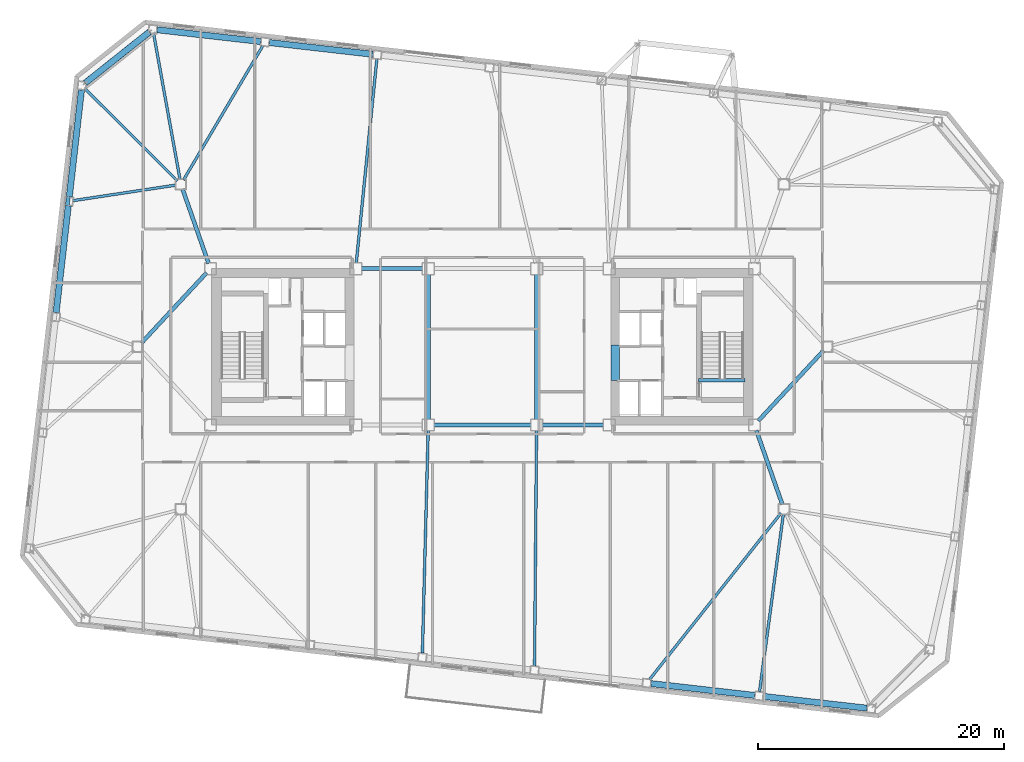
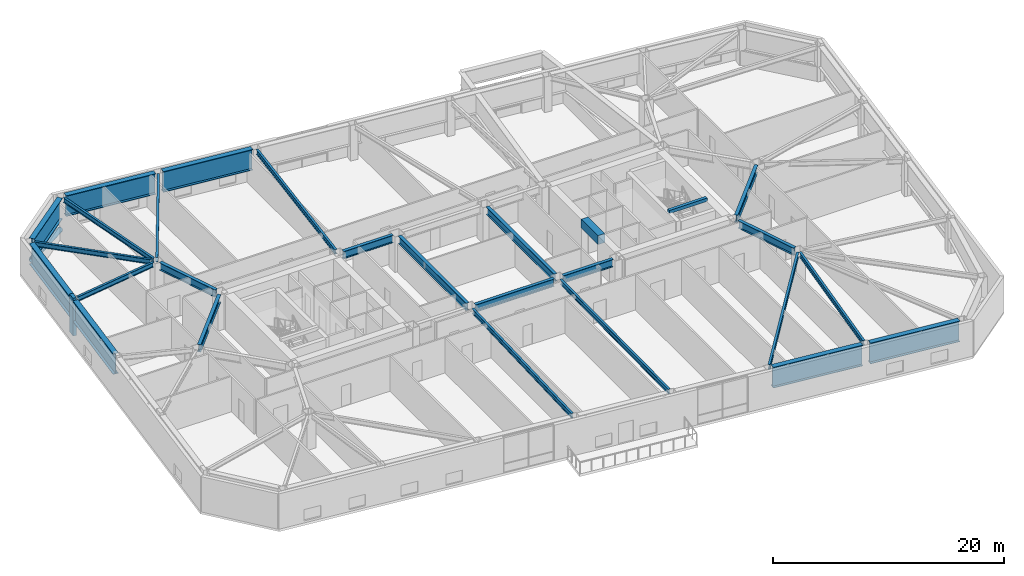
# One storey, part 5 of 21: 27 beams, 2 members.
"""IFC4 building model written with IfcOpenShell, lengths in metres."""

from ifc_helpers import new_model, si_unit, direction, frame, origin, origin_2d, place, context, subcontext, project, spatial, rectangle, hollow_circle, i_section, extrude, material, material_profile, profile_set, type_object, element, save


model = new_model("IFC4")

# Units and contexts
model_context = context("Model", 3, precision=1e-05, world=origin(), true_north=direction((0.0, 1.0)))
body_context = subcontext(model_context, "Body", "Model", "MODEL_VIEW")
ifc_project = project(units=[si_unit("LENGTHUNIT", "METRE"), si_unit("AREAUNIT", "SQUARE_METRE"), si_unit("VOLUMEUNIT", "CUBIC_METRE"), si_unit("PLANEANGLEUNIT", "RADIAN"), si_unit("MASSUNIT", "GRAM", prefix="KILO")], contexts=[model_context])

# Site, building, storey
site_placement = place(None, origin())
site = spatial("IfcSite", under=ifc_project, at=site_placement, CompositionType="ELEMENT")
building_placement = place(site_placement, origin())
building = spatial("IfcBuilding", under=site, at=building_placement, Name="Tavrogorsk Clinical Tower", CompositionType="ELEMENT")
storey_placement = place(building_placement, frame((0.0, 0.0, 109.39990234375)))
storey = spatial("IfcBuildingStorey", under=building, at=storey_placement, Name="L24", CompositionType="ELEMENT", Elevation=109.39990234375)

# Beam
ifc_material_1 = material(Name="Concrete B80", Category="concrete")
ifc_material_profile_1 = material_profile(ifc_material_1, rectangle(XDim=0.699951171875, YDim=0.949951171875, at=origin_2d()), Name="RC-CB-700x950")
ifc_profile_set_1 = profile_set([ifc_material_profile_1], Name="Concrete B80")
beam_type_1 = type_object("IfcBeamType", Name="CouplingBeam_RC700x950", PredefinedType="LINTEL", material=ifc_profile_set_1)
beam_1_placement = place(storey_placement, frame((10.800048828125, -2.75, 3.26513671875), z_axis=(0.0, 1.0, 0.0), x_axis=(-1.0, 0.0, 0.0)))
element("IfcBeam", 1, at=beam_1_placement, inside=storey, type_object=beam_type_1, Name="L24 Core East Coupling Beam", PredefinedType="LINTEL", context=body_context, shape_type="SweptSolid", body=[
    extrude(rectangle(XDim=0.699951171875, YDim=0.949951171875, at=origin_2d()), origin(), (0.0, 0.0, 1.0), 2.89990234375),
])

# Member
ifc_material_2 = material(Name="Structural steel S440", Category="steel")
ifc_material_profile_2 = material_profile(ifc_material_2, hollow_circle(Radius=0.25390625, WallThickness=0.02001953125, at=origin_2d()), Name="CHS-508x20")
ifc_profile_set_2 = profile_set([ifc_material_profile_2], Name="Structural steel S440")
member_type_1 = type_object("IfcMemberType", Name="ExoBrace_CHS508", PredefinedType="BRACE", material=ifc_profile_set_2)
member_1_placement = place(storey_placement, frame((-27.0595703125, 25.5810546875, 0.357177734375), z_axis=(-0.772560445092, -0.614516941236, 0.15974757467), x_axis=(0.622511295801, -0.782610814262, 0.0)))
element("IfcMember", 2, at=member_1_placement, inside=storey, type_object=member_type_1, Name="L24 Corner Exoskeleton Brace N8-W1", PredefinedType="BRACE", context=body_context, shape_type="SweptSolid", body=[
    extrude(hollow_circle(Radius=0.25390625, WallThickness=0.02001953125, at=origin_2d()), origin(), (0.0, 0.0, 1.0), 6.733642578125),
])

# Beams
ifc_material_3 = material(Name="Structural steel S355", Category="steel")
ifc_material_profile_3 = material_profile(ifc_material_3, i_section(OverallWidth=0.219970703125, OverallDepth=0.5, WebThickness=0.012939453125, FlangeThickness=0.02001953125, at=origin_2d()), Name="B-500x220x13x20")
ifc_profile_set_3 = profile_set([ifc_material_profile_3], Name="Structural steel S355")
beam_type_2 = type_object("IfcBeamType", Name="FloorBeam_B500", PredefinedType="BEAM", material=ifc_profile_set_3)
beam_2_placement = place(storey_placement, frame((-4.411865234375, -6.809814453125, 3.489990234375), z_axis=(-0.025907273598, -0.999664350257, 0.0), x_axis=(0.999664350257, -0.025907273598, 0.0)))
element("IfcBeam", 3, at=beam_2_placement, inside=storey, type_object=beam_type_2, Name="L24 Radial Floor Beam S4", PredefinedType="BEAM", context=body_context, shape_type="SweptSolid", body=[
    extrude(i_section(OverallWidth=0.219970703125, OverallDepth=0.5, WebThickness=0.012939453125, FlangeThickness=0.02001953125, at=origin_2d()), origin(), (0.0, 0.0, 1.0), 18.083984375),
])
beam_3_placement = place(storey_placement, frame((4.39599609375, -6.81005859375, 3.489990234375), z_axis=(-0.00859471964, -0.999963064715, 0.0), x_axis=(0.999963064715, -0.00859471964, 0.0)))
element("IfcBeam", 4, at=beam_3_placement, inside=storey, type_object=beam_type_2, Name="L24 Radial Floor Beam S5", PredefinedType="BEAM", context=body_context, shape_type="SweptSolid", body=[
    extrude(i_section(OverallWidth=0.219970703125, OverallDepth=0.5, WebThickness=0.012939453125, FlangeThickness=0.02001953125, at=origin_2d()), origin(), (0.0, 0.0, 1.0), 19.1171875),
])
beam_4_placement = place(storey_placement, frame((24.245849609375, -13.521728515625, 3.489990234375), z_axis=(-0.619757312108, -0.784793523221, 0.0), x_axis=(0.784793523221, -0.619757312108, 0.0)))
element("IfcBeam", 5, at=beam_4_placement, inside=storey, type_object=beam_type_2, Name="L24 Radial Floor Beam S6", PredefinedType="BEAM", context=body_context, shape_type="SweptSolid", body=[
    extrude(i_section(OverallWidth=0.219970703125, OverallDepth=0.5, WebThickness=0.012939453125, FlangeThickness=0.02001953125, at=origin_2d()), origin(), (0.0, 0.0, 1.0), 17.22802734375),
])
beam_5_placement = place(storey_placement, frame((24.445556640625, -13.6064453125, 3.489990234375), z_axis=(-0.133025440596, -0.991112623345, 0.0), x_axis=(0.991112623345, -0.133025440596, 0.0)))
element("IfcBeam", 6, at=beam_5_placement, inside=storey, type_object=beam_type_2, Name="L24 Radial Floor Beam S7", PredefinedType="BEAM", context=body_context, shape_type="SweptSolid", body=[
    extrude(i_section(OverallWidth=0.219970703125, OverallDepth=0.5, WebThickness=0.012939453125, FlangeThickness=0.02001953125, at=origin_2d()), origin(), (0.0, 0.0, 1.0), 14.530029296875),
])
beam_6_placement = place(storey_placement, frame((-10.25390625, 6.8076171875, 3.489990234375), z_axis=(0.100407035617, 0.994946444387, 0.0), x_axis=(-0.994946444387, 0.100407035617, 0.0)))
element("IfcBeam", 7, at=beam_6_placement, inside=storey, type_object=beam_type_2, Name="L24 Radial Floor Beam N6", PredefinedType="BEAM", context=body_context, shape_type="SweptSolid", body=[
    extrude(i_section(OverallWidth=0.219970703125, OverallDepth=0.5, WebThickness=0.012939453125, FlangeThickness=0.02001953125, at=origin_2d()), origin(), (0.0, 0.0, 1.0), 16.643798828125),
])
beam_7_placement = place(storey_placement, frame((-24.291259765625, 13.552978515625, 3.489990234375), z_axis=(0.508876748392, 0.86083938975, 0.0), x_axis=(-0.86083938975, 0.508876748392, 0.0)))
element("IfcBeam", 8, at=beam_7_placement, inside=storey, type_object=beam_type_2, Name="L24 Radial Floor Beam N7", PredefinedType="BEAM", context=body_context, shape_type="SweptSolid", body=[
    extrude(i_section(OverallWidth=0.219970703125, OverallDepth=0.5, WebThickness=0.012939453125, FlangeThickness=0.02001953125, at=origin_2d()), origin(), (0.0, 0.0, 1.0), 12.663330078125),
])
beam_8_placement = place(storey_placement, frame((-24.572998046875, 13.603515625, 3.489990234375), z_axis=(-0.178287530482, 0.983978432932, 0.0), x_axis=(-0.983978432932, -0.178287530482, 0.0)))
element("IfcBeam", 9, at=beam_8_placement, inside=storey, type_object=beam_type_2, Name="L24 Radial Floor Beam N8", PredefinedType="BEAM", context=body_context, shape_type="SweptSolid", body=[
    extrude(i_section(OverallWidth=0.219970703125, OverallDepth=0.5, WebThickness=0.012939453125, FlangeThickness=0.02001953125, at=origin_2d()), origin(), (0.0, 0.0, 1.0), 12.0380859375),
])
beam_9_placement = place(storey_placement, frame((-24.790283203125, 13.48974609375, 3.489990234375), z_axis=(-0.707775090959, 0.706437839175, 0.0), x_axis=(-0.706437839175, -0.707775090959, 0.0)))
element("IfcBeam", 10, at=beam_9_placement, inside=storey, type_object=beam_type_2, Name="L24 Radial Floor Beam W1", PredefinedType="BEAM", context=body_context, shape_type="SweptSolid", body=[
    extrude(i_section(OverallWidth=0.219970703125, OverallDepth=0.5, WebThickness=0.012939453125, FlangeThickness=0.02001953125, at=origin_2d()), origin(), (0.0, 0.0, 1.0), 10.589111328125),
])
beam_10_placement = place(storey_placement, frame((-24.905517578125, 13.138671875, 3.489990234375), z_axis=(-0.98878314082, -0.149358295482, 0.0), x_axis=(0.149358295482, -0.98878314082, 0.0)))
element("IfcBeam", 11, at=beam_10_placement, inside=storey, type_object=beam_type_2, Name="L24 Radial Floor Beam W2", PredefinedType="BEAM", context=body_context, shape_type="SweptSolid", body=[
    extrude(i_section(OverallWidth=0.219970703125, OverallDepth=0.5, WebThickness=0.012939453125, FlangeThickness=0.02001953125, at=origin_2d()), origin(), (0.0, 0.0, 1.0), 8.4443359375),
])

# Member
ifc_material_4 = material(Name="Precast concrete B45 with limestone cladding", Category="masonry")
ifc_material_profile_4 = material_profile(ifc_material_4, rectangle(XDim=0.320068359375, YDim=0.719970703125, at=origin_2d()), Name="LIMESTONE-FIN-320x720")
ifc_profile_set_4 = profile_set([ifc_material_profile_4], Name="Precast concrete B45 with limestone cladding")
member_type_2 = type_object("IfcMemberType", Name="LimestonePleatFin_320x720", PredefinedType="USERDEFINED", material=ifc_profile_set_4)
member_2_placement = place(storey_placement, frame((-33.688720703125, 11.8330078125, 0.0), z_axis=(0.0, 0.0, 1.0), x_axis=(0.993571855677, -0.113203213768, 0.0)))
element("IfcMember", 12, at=member_2_placement, inside=storey, type_object=member_type_2, Name="L24 W Pleated Stone Fin 1", ObjectType="FIN", PredefinedType="USERDEFINED", context=body_context, shape_type="SweptSolid", body=[
    extrude(rectangle(XDim=0.320068359375, YDim=0.719970703125, at=origin_2d()), origin(), (0.0, 0.0, 1.0), 4.0),
])

# Beams
ifc_material_5 = material(Name="Structural steel S390", Category="steel")
ifc_material_profile_5 = material_profile(ifc_material_5, i_section(OverallWidth=0.320068359375, OverallDepth=0.800048828125, WebThickness=0.02001953125, FlangeThickness=0.033935546875, at=origin_2d()), Name="B-800x320x20x34")
ifc_profile_set_5 = profile_set([ifc_material_profile_5], Name="Structural steel S390")
beam_type_3 = type_object("IfcBeamType", Name="PrimaryGirder_B800", PredefinedType="USERDEFINED", material=ifc_profile_set_5)
beam_11_placement = place(storey_placement, frame((-9.840087890625, 6.35009765625, 3.340087890625), z_axis=(1.0, 0.0, 0.0), x_axis=(0.0, 1.0, 0.0)))
element("IfcBeam", 13, at=beam_11_placement, inside=storey, type_object=beam_type_3, Name="L24 Primary Spine Girder MG-02", ObjectType="GIRDER", PredefinedType="USERDEFINED", context=body_context, shape_type="SweptSolid", body=[
    extrude(i_section(OverallWidth=0.320068359375, OverallDepth=0.800048828125, WebThickness=0.02001953125, FlangeThickness=0.033935546875, at=origin_2d()), origin(), (0.0, 0.0, 1.0), 4.97998046875),
])
beam_12_placement = place(storey_placement, frame((-3.93994140625, -6.35009765625, 3.340087890625), z_axis=(1.0, 0.0, 0.0), x_axis=(0.0, 1.0, 0.0)))
element("IfcBeam", 14, at=beam_12_placement, inside=storey, type_object=beam_type_3, Name="L24 Primary Spine Girder MG-03", ObjectType="GIRDER", PredefinedType="USERDEFINED", context=body_context, shape_type="SweptSolid", body=[
    extrude(i_section(OverallWidth=0.320068359375, OverallDepth=0.800048828125, WebThickness=0.02001953125, FlangeThickness=0.033935546875, at=origin_2d()), origin(), (0.0, 0.0, 1.0), 7.8798828125),
])
beam_13_placement = place(storey_placement, frame((4.860107421875, -6.35009765625, 3.340087890625), z_axis=(1.0, 0.0, 0.0), x_axis=(0.0, 1.0, 0.0)))
element("IfcBeam", 15, at=beam_13_placement, inside=storey, type_object=beam_type_3, Name="L24 Primary Spine Girder MG-05", ObjectType="GIRDER", PredefinedType="USERDEFINED", context=body_context, shape_type="SweptSolid", body=[
    extrude(i_section(OverallWidth=0.320068359375, OverallDepth=0.800048828125, WebThickness=0.02001953125, FlangeThickness=0.033935546875, at=origin_2d()), origin(), (0.0, 0.0, 1.0), 4.97998046875),
])
for number, where, z_axis, x_axis, name in (
    (16, (-4.39990234375, -5.889892578125, 3.340087890625), (0.0, 1.0, 0.0), (-1.0, 0.0, 0.0), "L24 Primary Spine Girder MG-07"),
    (17, (4.39990234375, -5.889892578125, 3.340087890625), (0.0, 1.0, 0.0), (-1.0, 0.0, 0.0), "L24 Primary Spine Girder MG-08"),
):
    element("IfcBeam", number, at=place(storey_placement, frame(where, z_axis=z_axis, x_axis=x_axis)), inside=storey, type_object=beam_type_3, Name=name, ObjectType="GIRDER", PredefinedType="USERDEFINED", context=body_context, shape_type="SweptSolid", body=[
        extrude(i_section(OverallWidth=0.320068359375, OverallDepth=0.800048828125, WebThickness=0.02001953125, FlangeThickness=0.033935546875, at=origin_2d()), origin(), (0.0, 0.0, 1.0), 11.77978515625),
    ])
for number, where, z_axis, x_axis, name in (
    (18, (24.364501953125, -12.81298828125, 3.340087890625), (-0.330660234815, 0.943749865755, 0.0), (-0.943749865755, -0.330660234815, 0.0), "L24 Spine Link Girder OPG-2"),
    (19, (-24.364501953125, 12.81298828125, 3.340087890625), (0.330660234815, -0.943749865755, 0.0), (0.943749865755, 0.330660234815, 0.0), "L24 Spine Link Girder OPG-3"),
):
    element("IfcBeam", number, at=place(storey_placement, frame(where, z_axis=z_axis, x_axis=x_axis)), inside=storey, type_object=beam_type_3, Name=name, ObjectType="GIRDER", PredefinedType="USERDEFINED", context=body_context, shape_type="SweptSolid", body=[
        extrude(i_section(OverallWidth=0.320068359375, OverallDepth=0.800048828125, WebThickness=0.02001953125, FlangeThickness=0.033935546875, at=origin_2d()), origin(), (0.0, 0.0, 1.0), 6.38818359375),
    ])
for number, where, z_axis, x_axis, name in (
    (20, (-27.720947265625, 0.30029296875, 3.340087890625), (0.680675630035, 0.732584934787, 0.0), (-0.732584934787, 0.680675630035, 0.0), "L24 Spine Link Girder OPG-6"),
    (21, (27.720947265625, -0.30029296875, 3.340087890625), (-0.680675630035, -0.732584934787, 0.0), (0.732584934787, -0.680675630035, 0.0), "L24 Spine Link Girder OPG-7"),
):
    element("IfcBeam", number, at=place(storey_placement, frame(where, z_axis=z_axis, x_axis=x_axis)), inside=storey, type_object=beam_type_3, Name=name, ObjectType="GIRDER", PredefinedType="USERDEFINED", context=body_context, shape_type="SweptSolid", body=[
        extrude(i_section(OverallWidth=0.320068359375, OverallDepth=0.800048828125, WebThickness=0.02001953125, FlangeThickness=0.033935546875, at=origin_2d()), origin(), (0.0, 0.0, 1.0), 7.7978515625),
    ])
ifc_material_6 = material(Name="Concrete B60", Category="concrete")
ifc_material_profile_6 = material_profile(ifc_material_6, rectangle(XDim=0.300048828125, YDim=0.35009765625, at=origin_2d()), Name="RC-SHB-300x350")
ifc_profile_set_6 = profile_set([ifc_material_profile_6], Name="Concrete B60")
beam_type_4 = type_object("IfcBeamType", Name="StairHeaderBeam_RC300x350", PredefinedType="BEAM", material=ifc_profile_set_6)
beam_14_placement = place(storey_placement, frame((17.550048828125, -2.719970703125, 3.8251953125), z_axis=(1.0, 0.0, 0.0), x_axis=(0.0, 1.0, 0.0)))
element("IfcBeam", 22, at=beam_14_placement, inside=storey, type_object=beam_type_4, Name="L25 ST-E Landing Header Beam", PredefinedType="BEAM", context=body_context, shape_type="SweptSolid", body=[
    extrude(rectangle(XDim=0.300048828125, YDim=0.35009765625, at=origin_2d()), origin(), (0.0, 0.0, 1.0), 3.800048828125),
])
ifc_material_7 = material(Name="Structural steel S440", Category="steel")
ifc_material_profile_7 = material_profile(ifc_material_7, i_section(OverallWidth=0.5, OverallDepth=2.199951171875, WebThickness=0.035888671875, FlangeThickness=0.054931640625, at=origin_2d()), Name="DK-2200x500x36x55")
ifc_profile_set_7 = profile_set([ifc_material_profile_7], Name="Structural steel S440")
beam_type_5 = type_object("IfcBeamType", Name="TransferGirder_DK2200", PredefinedType="USERDEFINED", material=ifc_profile_set_7)
beam_15_placement = place(storey_placement, frame((13.702392578125, -27.36376953125, 2.64013671875), z_axis=(0.993569819641, -0.113221082395, 0.0), x_axis=(0.113221082395, 0.993569819641, 0.0)))
element("IfcBeam", 23, at=beam_15_placement, inside=storey, type_object=beam_type_5, Name="L24 Perimeter Spandrel S6-S7", ObjectType="GIRDER", PredefinedType="USERDEFINED", context=body_context, shape_type="SweptSolid", body=[
    extrude(i_section(OverallWidth=0.5, OverallDepth=2.199951171875, WebThickness=0.035888671875, FlangeThickness=0.054931640625, at=origin_2d()), origin(), (0.0, 0.0, 1.0), 8.46142578125),
])
beam_16_placement = place(storey_placement, frame((22.82080078125, -28.40283203125, 2.64013671875), z_axis=(0.99357232562, -0.113199089054, 0.0), x_axis=(0.113199089054, 0.99357232562, 0.0)))
element("IfcBeam", 24, at=beam_16_placement, inside=storey, type_object=beam_type_5, Name="L24 Perimeter Spandrel S7-S8", ObjectType="GIRDER", PredefinedType="USERDEFINED", context=body_context, shape_type="SweptSolid", body=[
    extrude(i_section(OverallWidth=0.5, OverallDepth=2.199951171875, WebThickness=0.035888671875, FlangeThickness=0.054931640625, at=origin_2d()), origin(), (0.0, 0.0, 1.0), 8.4609375),
])
for number, where, z_axis, x_axis, name in (
    (25, (-8.902587890625, 23.763916015625, 2.64013671875), (-0.993572695356, 0.113195843756, 0.0), (-0.113195843756, -0.993572695356, 0.0), "L24 Perimeter Spandrel N6-N7"),
    (26, (-18.020751953125, 24.802734375, 2.64013671875), (-0.993572695356, 0.113195843756, 0.0), (-0.113195843756, -0.993572695356, 0.0), "L24 Perimeter Spandrel N7-N8"),
):
    element("IfcBeam", number, at=place(storey_placement, frame(where, z_axis=z_axis, x_axis=x_axis)), inside=storey, type_object=beam_type_5, Name=name, ObjectType="GIRDER", PredefinedType="USERDEFINED", context=body_context, shape_type="SweptSolid", body=[
        extrude(i_section(OverallWidth=0.5, OverallDepth=2.199951171875, WebThickness=0.035888671875, FlangeThickness=0.054931640625, at=origin_2d()), origin(), (0.0, 0.0, 1.0), 8.461181640625),
    ])
beam_17_placement = place(storey_placement, frame((-27.063232421875, 25.578125, 2.64013671875), z_axis=(-0.782613271493, -0.622508206599, 0.0), x_axis=(0.622508206599, -0.782613271493, 0.0)))
element("IfcBeam", 27, at=beam_17_placement, inside=storey, type_object=beam_type_5, Name="L24 Perimeter Spandrel N8-W1", ObjectType="GIRDER", PredefinedType="USERDEFINED", context=body_context, shape_type="SweptSolid", body=[
    extrude(i_section(OverallWidth=0.5, OverallDepth=2.199951171875, WebThickness=0.035888671875, FlangeThickness=0.054931640625, at=origin_2d()), origin(), (0.0, 0.0, 1.0), 6.6376953125),
])
for number, where, z_axis, x_axis, name in (
    (28, (-32.578857421875, 20.867431640625, 2.64013671875), (-0.113192226434, -0.993573107464, 0.0), (0.993573107464, -0.113192226434, 0.0), "L24 Perimeter Spandrel W1-W2"),
    (29, (-33.649658203125, 11.46826171875, 2.64013671875), (-0.113219789686, -0.993569966949, 0.0), (0.993569966949, -0.113219789686, 0.0), "L24 Perimeter Spandrel W2-W3"),
):
    element("IfcBeam", number, at=place(storey_placement, frame(where, z_axis=z_axis, x_axis=x_axis)), inside=storey, type_object=beam_type_5, Name=name, ObjectType="GIRDER", PredefinedType="USERDEFINED", context=body_context, shape_type="SweptSolid", body=[
        extrude(i_section(OverallWidth=0.5, OverallDepth=2.199951171875, WebThickness=0.035888671875, FlangeThickness=0.054931640625, at=origin_2d()), origin(), (0.0, 0.0, 1.0), 8.743896484375),
    ])

save(model, "model.ifc")
